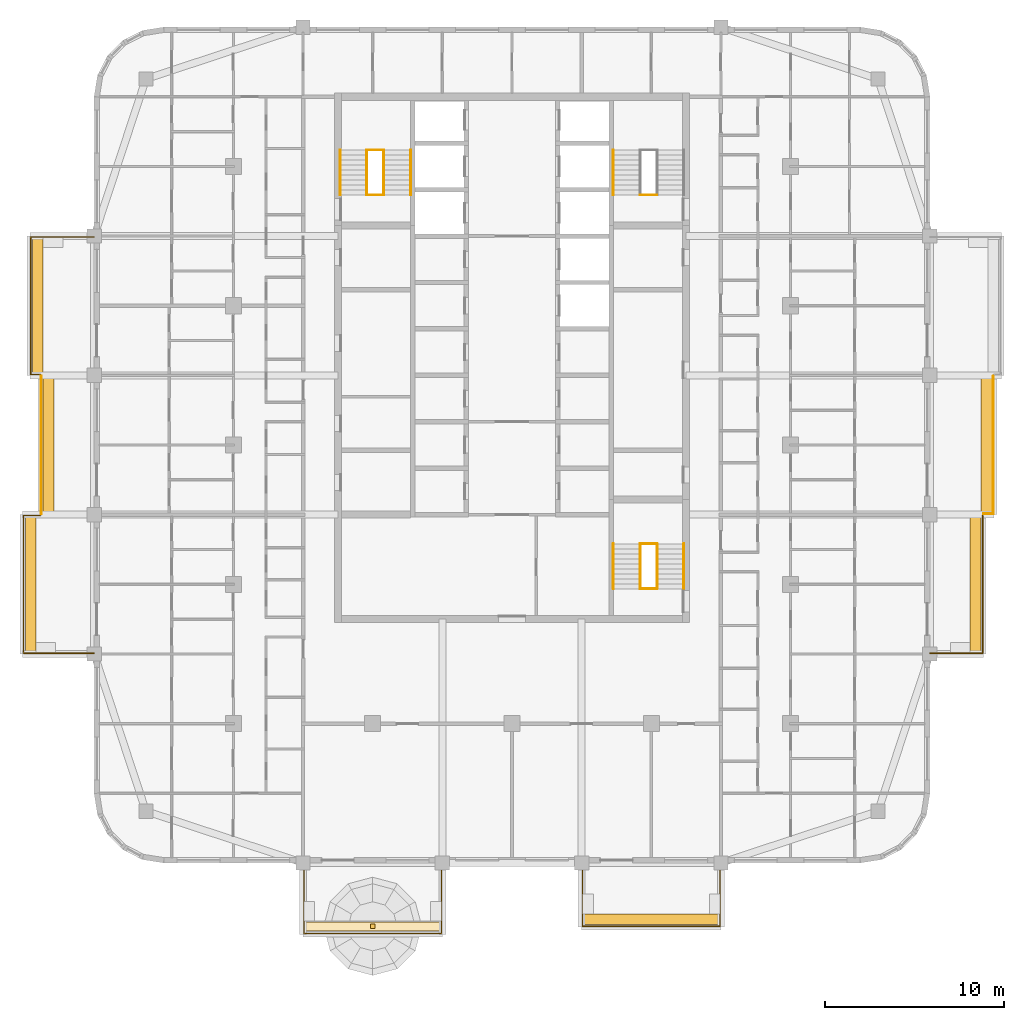
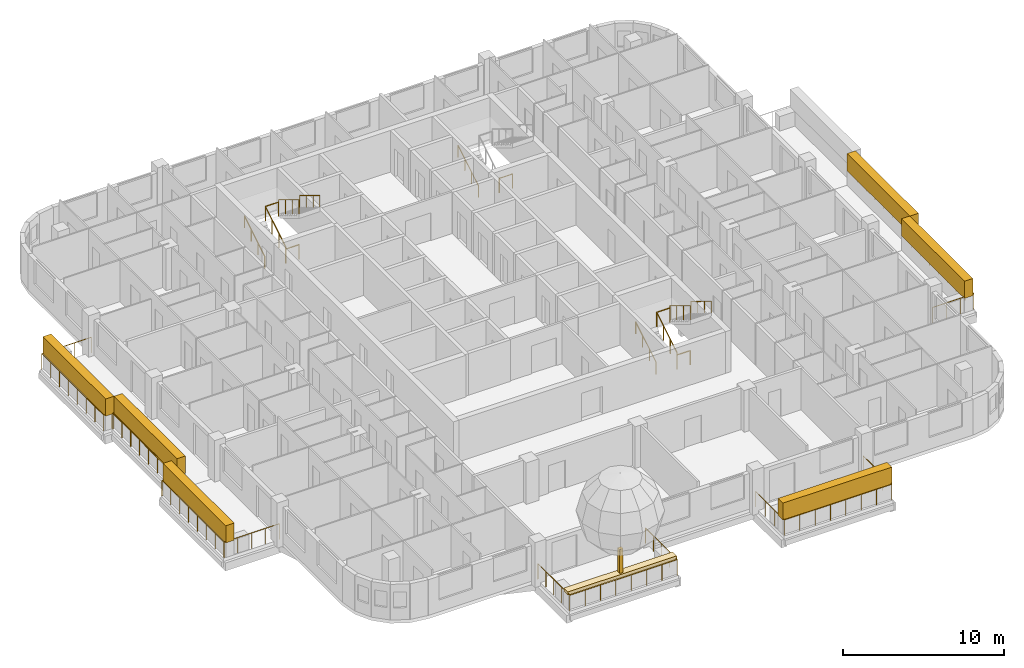
# One storey, part 15 of 17: 21 railings, 8 coverings, 3 elements without a shape of their own.
"""IFC4 building model written with IfcOpenShell, lengths in metres."""

from ifc_helpers import new_model, si_unit, direction, frame, origin, origin_2d, place, context, subcontext, project, spatial, rectangle, circle, extrude, material, layer, layer_set, type_object, element, aggregate, save


model = new_model("IFC4")

# Units and contexts
model_context = context("Model", 3, precision=1e-05, world=origin(), true_north=direction((0.0, 1.0)))
body_context = subcontext(model_context, "Body", "Model", "MODEL_VIEW")
ifc_project = project(units=[si_unit("LENGTHUNIT", "METRE"), si_unit("AREAUNIT", "SQUARE_METRE"), si_unit("VOLUMEUNIT", "CUBIC_METRE"), si_unit("PLANEANGLEUNIT", "RADIAN"), si_unit("MASSUNIT", "GRAM", prefix="KILO")], contexts=[model_context])

# Site, building, storey
site_placement = place(None, origin())
site = spatial("IfcSite", under=ifc_project, at=site_placement, CompositionType="ELEMENT")
building_placement = place(site_placement, origin())
building = spatial("IfcBuilding", under=site, at=building_placement, Name="Ludao Terraces", CompositionType="ELEMENT")
storey_placement = place(building_placement, frame((0.0, 0.0, 231.300048828125)))
storey = spatial("IfcBuildingStorey", under=building, at=storey_placement, Name="L63", CompositionType="ELEMENT", Elevation=231.300048828125)

# Railings
ifc_material_1 = material(Name="Stainless steel 304", Category="steel")
railing_type_1 = type_object("IfcRailingType", Name="ENV Balcony glass guard 1200", PredefinedType="GUARDRAIL", material=ifc_material_1)
railing_1_placement = place(storey_placement, frame((73.35009765625, 41.60009765625, 0.0)))
element("IfcRailing", 1, at=railing_1_placement, inside=storey, type_object=railing_type_1, Name="Balcony guard L63 S1", PredefinedType="GUARDRAIL", context=body_context, shape_type="SweptSolid", body=[
    extrude(circle(Radius=0.02392578125, at=origin_2d()), frame((0.0, 0.0, 1.17578125), z_axis=(0.0, -1.0, 0.0), x_axis=(1.0, 0.0, 0.0)), (0.0, 0.0, 1.0), 3.9501953125),
    extrude(circle(Radius=0.02392578125, at=origin_2d()), frame((0.0, -3.9501953125, 1.17578125), z_axis=(1.0, 0.0, 0.0), x_axis=(0.0, 1.0, 0.0)), (0.0, 0.0, 1.0), 7.699951171875),
    extrude(circle(Radius=0.02392578125, at=origin_2d()), frame((7.699951171875, -3.9501953125, 1.17578125), z_axis=(0.0, 1.0, 0.0), x_axis=(-1.0, 0.0, 0.0)), (0.0, 0.0, 1.0), 3.9501953125),
    extrude(circle(Radius=0.02099609375, at=origin_2d()), origin(), (0.0, 0.0, 1.0), 1.15185546875),
    extrude(circle(Radius=0.02099609375, at=origin_2d()), frame((0.0, -0.987548828125, 0.0)), (0.0, 0.0, 1.0), 1.15185546875),
    extrude(circle(Radius=0.02099609375, at=origin_2d()), frame((0.0, -1.97509765625, 0.0)), (0.0, 0.0, 1.0), 1.15185546875),
    extrude(circle(Radius=0.02099609375, at=origin_2d()), frame((0.0, -2.962646484375, 0.0)), (0.0, 0.0, 1.0), 1.15185546875),
    extrude(circle(Radius=0.02099609375, at=origin_2d()), frame((0.0, -3.9501953125, 0.0)), (0.0, 0.0, 1.0), 1.15185546875),
    extrude(circle(Radius=0.02099609375, at=origin_2d()), frame((1.10009765625, -3.9501953125, 0.0)), (0.0, 0.0, 1.0), 1.15185546875),
    extrude(circle(Radius=0.02099609375, at=origin_2d()), frame((2.199951171875, -3.9501953125, 0.0)), (0.0, 0.0, 1.0), 1.15185546875),
    extrude(circle(Radius=0.02099609375, at=origin_2d()), frame((3.300048828125, -3.9501953125, 0.0)), (0.0, 0.0, 1.0), 1.15185546875),
    extrude(circle(Radius=0.02099609375, at=origin_2d()), frame((4.39990234375, -3.9501953125, 0.0)), (0.0, 0.0, 1.0), 1.15185546875),
    extrude(circle(Radius=0.02099609375, at=origin_2d()), frame((5.5, -3.9501953125, 0.0)), (0.0, 0.0, 1.0), 1.15185546875),
    extrude(circle(Radius=0.02099609375, at=origin_2d()), frame((6.599853515625, -3.9501953125, 0.0)), (0.0, 0.0, 1.0), 1.15185546875),
    extrude(circle(Radius=0.02099609375, at=origin_2d()), frame((7.699951171875, -3.9501953125, 0.0)), (0.0, 0.0, 1.0), 1.15185546875),
    extrude(circle(Radius=0.02099609375, at=origin_2d()), frame((7.699951171875, -2.962646484375, 0.0)), (0.0, 0.0, 1.0), 1.15185546875),
    extrude(circle(Radius=0.02099609375, at=origin_2d()), frame((7.699951171875, -1.97509765625, 0.0)), (0.0, 0.0, 1.0), 1.15185546875),
    extrude(circle(Radius=0.02099609375, at=origin_2d()), frame((7.699951171875, -0.987548828125, 0.0)), (0.0, 0.0, 1.0), 1.15185546875),
    extrude(circle(Radius=0.02099609375, at=origin_2d()), frame((7.699951171875, 0.0, 0.0)), (0.0, 0.0, 1.0), 1.15185546875),
])
railing_2_placement = place(storey_placement, frame((88.949951171875, 41.60009765625, 0.0)))
element("IfcRailing", 2, at=railing_2_placement, inside=storey, type_object=railing_type_1, Name="Balcony guard L63 S3", PredefinedType="GUARDRAIL", context=body_context, shape_type="SweptSolid", body=[
    extrude(circle(Radius=0.02392578125, at=origin_2d()), frame((0.0, 0.0, 1.17578125), z_axis=(0.0, -1.0, 0.0), x_axis=(1.0, 0.0, 0.0)), (0.0, 0.0, 1.0), 3.550048828125),
    extrude(circle(Radius=0.02392578125, at=origin_2d()), frame((0.0, -3.550048828125, 1.17578125), z_axis=(1.0, 0.0, 0.0), x_axis=(0.0, 1.0, 0.0)), (0.0, 0.0, 1.0), 7.699951171875),
    extrude(circle(Radius=0.02392578125, at=origin_2d()), frame((7.699951171875, -3.550048828125, 1.17578125), z_axis=(0.0, 1.0, 0.0), x_axis=(-1.0, 0.0, 0.0)), (0.0, 0.0, 1.0), 3.550048828125),
    extrude(circle(Radius=0.02099609375, at=origin_2d()), origin(), (0.0, 0.0, 1.0), 1.15185546875),
    extrude(circle(Radius=0.02099609375, at=origin_2d()), frame((0.0, -1.183349609375, 0.0)), (0.0, 0.0, 1.0), 1.15185546875),
    extrude(circle(Radius=0.02099609375, at=origin_2d()), frame((0.0, -2.36669921875, 0.0)), (0.0, 0.0, 1.0), 1.15185546875),
    extrude(circle(Radius=0.02099609375, at=origin_2d()), frame((0.0, -3.550048828125, 0.0)), (0.0, 0.0, 1.0), 1.15185546875),
    extrude(circle(Radius=0.02099609375, at=origin_2d()), frame((1.10009765625, -3.550048828125, 0.0)), (0.0, 0.0, 1.0), 1.15185546875),
    extrude(circle(Radius=0.02099609375, at=origin_2d()), frame((2.199951171875, -3.550048828125, 0.0)), (0.0, 0.0, 1.0), 1.15185546875),
    extrude(circle(Radius=0.02099609375, at=origin_2d()), frame((3.300048828125, -3.550048828125, 0.0)), (0.0, 0.0, 1.0), 1.15185546875),
    extrude(circle(Radius=0.02099609375, at=origin_2d()), frame((4.39990234375, -3.550048828125, 0.0)), (0.0, 0.0, 1.0), 1.15185546875),
    extrude(circle(Radius=0.02099609375, at=origin_2d()), frame((5.5, -3.550048828125, 0.0)), (0.0, 0.0, 1.0), 1.15185546875),
    extrude(circle(Radius=0.02099609375, at=origin_2d()), frame((6.599853515625, -3.550048828125, 0.0)), (0.0, 0.0, 1.0), 1.15185546875),
    extrude(circle(Radius=0.02099609375, at=origin_2d()), frame((7.699951171875, -3.550048828125, 0.0)), (0.0, 0.0, 1.0), 1.15185546875),
    extrude(circle(Radius=0.02099609375, at=origin_2d()), frame((7.699951171875, -2.36669921875, 0.0)), (0.0, 0.0, 1.0), 1.15185546875),
    extrude(circle(Radius=0.02099609375, at=origin_2d()), frame((7.699951171875, -1.183349609375, 0.0)), (0.0, 0.0, 1.0), 1.15185546875),
    extrude(circle(Radius=0.02099609375, at=origin_2d()), frame((7.699951171875, 0.0, 0.0)), (0.0, 0.0, 1.0), 1.15185546875),
])
railing_3_placement = place(storey_placement, frame((108.39990234375, 53.35009765625, 0.0)))
element("IfcRailing", 3, at=railing_3_placement, inside=storey, type_object=railing_type_1, Name="Balcony guard L63 E1", PredefinedType="GUARDRAIL", context=body_context, shape_type="SweptSolid", body=[
    extrude(circle(Radius=0.02392578125, at=origin_2d()), frame((0.0, 0.0, 1.17578125), z_axis=(1.0, 0.0, 0.0), x_axis=(0.0, 1.0, 0.0)), (0.0, 0.0, 1.0), 2.9501953125),
    extrude(circle(Radius=0.02392578125, at=origin_2d()), frame((2.9501953125, 0.0, 1.17578125), z_axis=(0.0, 1.0, 0.0), x_axis=(-1.0, 0.0, 0.0)), (0.0, 0.0, 1.0), 7.699951171875),
    extrude(circle(Radius=0.02099609375, at=origin_2d()), origin(), (0.0, 0.0, 1.0), 1.15185546875),
    extrude(circle(Radius=0.02099609375, at=origin_2d()), frame((0.9833984375, 0.0, 0.0)), (0.0, 0.0, 1.0), 1.15185546875),
    extrude(circle(Radius=0.02099609375, at=origin_2d()), frame((1.966796875, 0.0, 0.0)), (0.0, 0.0, 1.0), 1.15185546875),
    extrude(circle(Radius=0.02099609375, at=origin_2d()), frame((2.9501953125, 0.0, 0.0)), (0.0, 0.0, 1.0), 1.15185546875),
    extrude(circle(Radius=0.02099609375, at=origin_2d()), frame((2.9501953125, 1.10009765625, 0.0)), (0.0, 0.0, 1.0), 1.15185546875),
    extrude(circle(Radius=0.02099609375, at=origin_2d()), frame((2.9501953125, 2.199951171875, 0.0)), (0.0, 0.0, 1.0), 1.15185546875),
    extrude(circle(Radius=0.02099609375, at=origin_2d()), frame((2.9501953125, 3.300048828125, 0.0)), (0.0, 0.0, 1.0), 1.15185546875),
    extrude(circle(Radius=0.02099609375, at=origin_2d()), frame((2.9501953125, 4.39990234375, 0.0)), (0.0, 0.0, 1.0), 1.15185546875),
    extrude(circle(Radius=0.02099609375, at=origin_2d()), frame((2.9501953125, 5.5, 0.0)), (0.0, 0.0, 1.0), 1.15185546875),
    extrude(circle(Radius=0.02099609375, at=origin_2d()), frame((2.9501953125, 6.599853515625, 0.0)), (0.0, 0.0, 1.0), 1.15185546875),
    extrude(circle(Radius=0.02099609375, at=origin_2d()), frame((2.9501953125, 7.699951171875, 0.0)), (0.0, 0.0, 1.0), 1.15185546875),
])
railing_4_placement = place(storey_placement, frame((111.39990234375, 61.14990234375, 0.0)))
element("IfcRailing", 4, at=railing_4_placement, inside=storey, type_object=railing_type_1, Name="Balcony guard L63 E2", PredefinedType="GUARDRAIL", context=body_context, shape_type="SweptSolid", body=[
    extrude(circle(Radius=0.02392578125, at=origin_2d()), frame((0.0, 0.0, 1.17578125), z_axis=(1.0, 0.0, 0.0), x_axis=(0.0, 1.0, 0.0)), (0.0, 0.0, 1.0), 0.550048828125),
    extrude(circle(Radius=0.02392578125, at=origin_2d()), frame((0.550048828125, 0.0, 1.17578125), z_axis=(0.0, 1.0, 0.0), x_axis=(-1.0, 0.0, 0.0)), (0.0, 0.0, 1.0), 7.7001953125),
    extrude(circle(Radius=0.02099609375, at=origin_2d()), origin(), (0.0, 0.0, 1.0), 1.15185546875),
    extrude(circle(Radius=0.02099609375, at=origin_2d()), frame((0.550048828125, 0.0, 0.0)), (0.0, 0.0, 1.0), 1.15185546875),
    extrude(circle(Radius=0.02099609375, at=origin_2d()), frame((0.550048828125, 1.10009765625, 0.0)), (0.0, 0.0, 1.0), 1.15185546875),
    extrude(circle(Radius=0.02099609375, at=origin_2d()), frame((0.550048828125, 2.199951171875, 0.0)), (0.0, 0.0, 1.0), 1.15185546875),
    extrude(circle(Radius=0.02099609375, at=origin_2d()), frame((0.550048828125, 3.300048828125, 0.0)), (0.0, 0.0, 1.0), 1.15185546875),
    extrude(circle(Radius=0.02099609375, at=origin_2d()), frame((0.550048828125, 4.400146484375, 0.0)), (0.0, 0.0, 1.0), 1.15185546875),
    extrude(circle(Radius=0.02099609375, at=origin_2d()), frame((0.550048828125, 5.500244140625, 0.0)), (0.0, 0.0, 1.0), 1.15185546875),
    extrude(circle(Radius=0.02099609375, at=origin_2d()), frame((0.550048828125, 6.60009765625, 0.0)), (0.0, 0.0, 1.0), 1.15185546875),
    extrude(circle(Radius=0.02099609375, at=origin_2d()), frame((0.550048828125, 7.7001953125, 0.0)), (0.0, 0.0, 1.0), 1.15185546875),
])
railing_5_placement = place(storey_placement, frame((61.60009765625, 53.35009765625, 0.0)))
element("IfcRailing", 5, at=railing_5_placement, inside=storey, type_object=railing_type_1, Name="Balcony guard L63 W1", PredefinedType="GUARDRAIL", context=body_context, shape_type="SweptSolid", body=[
    extrude(circle(Radius=0.02392578125, at=origin_2d()), frame((0.0, 0.0, 1.17578125), z_axis=(-1.0, 0.0, 0.0), x_axis=(0.0, -1.0, 0.0)), (0.0, 0.0, 1.0), 3.9501953125),
    extrude(circle(Radius=0.02392578125, at=origin_2d()), frame((-3.9501953125, 0.0, 1.17578125), z_axis=(0.0, 1.0, 0.0), x_axis=(-1.0, 0.0, 0.0)), (0.0, 0.0, 1.0), 7.699951171875),
    extrude(circle(Radius=0.02392578125, at=origin_2d()), frame((-3.9501953125, 7.699951171875, 1.17578125), z_axis=(1.0, 0.0, 0.0), x_axis=(0.0, 1.0, 0.0)), (0.0, 0.0, 1.0), 0.9501953125),
    extrude(circle(Radius=0.02099609375, at=origin_2d()), origin(), (0.0, 0.0, 1.0), 1.15185546875),
    extrude(circle(Radius=0.02099609375, at=origin_2d()), frame((-0.987548828125, 0.0, 0.0)), (0.0, 0.0, 1.0), 1.15185546875),
    extrude(circle(Radius=0.02099609375, at=origin_2d()), frame((-1.97509765625, 0.0, 0.0)), (0.0, 0.0, 1.0), 1.15185546875),
    extrude(circle(Radius=0.02099609375, at=origin_2d()), frame((-2.962646484375, 0.0, 0.0)), (0.0, 0.0, 1.0), 1.15185546875),
    extrude(circle(Radius=0.02099609375, at=origin_2d()), frame((-3.9501953125, 0.0, 0.0)), (0.0, 0.0, 1.0), 1.15185546875),
    extrude(circle(Radius=0.02099609375, at=origin_2d()), frame((-3.9501953125, 1.10009765625, 0.0)), (0.0, 0.0, 1.0), 1.15185546875),
    extrude(circle(Radius=0.02099609375, at=origin_2d()), frame((-3.9501953125, 2.199951171875, 0.0)), (0.0, 0.0, 1.0), 1.15185546875),
    extrude(circle(Radius=0.02099609375, at=origin_2d()), frame((-3.9501953125, 3.300048828125, 0.0)), (0.0, 0.0, 1.0), 1.15185546875),
    extrude(circle(Radius=0.02099609375, at=origin_2d()), frame((-3.9501953125, 4.39990234375, 0.0)), (0.0, 0.0, 1.0), 1.15185546875),
    extrude(circle(Radius=0.02099609375, at=origin_2d()), frame((-3.9501953125, 5.5, 0.0)), (0.0, 0.0, 1.0), 1.15185546875),
    extrude(circle(Radius=0.02099609375, at=origin_2d()), frame((-3.9501953125, 6.599853515625, 0.0)), (0.0, 0.0, 1.0), 1.15185546875),
    extrude(circle(Radius=0.02099609375, at=origin_2d()), frame((-3.9501953125, 7.699951171875, 0.0)), (0.0, 0.0, 1.0), 1.15185546875),
    extrude(circle(Radius=0.02099609375, at=origin_2d()), frame((-3.0, 7.699951171875, 0.0)), (0.0, 0.0, 1.0), 1.15185546875),
])
railing_6_placement = place(storey_placement, frame((58.64990234375, 61.14990234375, 0.0)))
element("IfcRailing", 6, at=railing_6_placement, inside=storey, type_object=railing_type_1, Name="Balcony guard L63 W2", PredefinedType="GUARDRAIL", context=body_context, shape_type="SweptSolid", body=[
    extrude(circle(Radius=0.02392578125, at=origin_2d()), frame((0.0, 0.0, 1.17578125), z_axis=(0.0, 1.0, 0.0), x_axis=(-1.0, 0.0, 0.0)), (0.0, 0.0, 1.0), 7.7001953125),
    extrude(circle(Radius=0.02099609375, at=origin_2d()), origin(), (0.0, 0.0, 1.0), 1.15185546875),
    extrude(circle(Radius=0.02099609375, at=origin_2d()), frame((0.0, 1.10009765625, 0.0)), (0.0, 0.0, 1.0), 1.15185546875),
    extrude(circle(Radius=0.02099609375, at=origin_2d()), frame((0.0, 2.199951171875, 0.0)), (0.0, 0.0, 1.0), 1.15185546875),
    extrude(circle(Radius=0.02099609375, at=origin_2d()), frame((0.0, 3.300048828125, 0.0)), (0.0, 0.0, 1.0), 1.15185546875),
    extrude(circle(Radius=0.02099609375, at=origin_2d()), frame((0.0, 4.400146484375, 0.0)), (0.0, 0.0, 1.0), 1.15185546875),
    extrude(circle(Radius=0.02099609375, at=origin_2d()), frame((0.0, 5.500244140625, 0.0)), (0.0, 0.0, 1.0), 1.15185546875),
    extrude(circle(Radius=0.02099609375, at=origin_2d()), frame((0.0, 6.60009765625, 0.0)), (0.0, 0.0, 1.0), 1.15185546875),
    extrude(circle(Radius=0.02099609375, at=origin_2d()), frame((0.0, 7.7001953125, 0.0)), (0.0, 0.0, 1.0), 1.15185546875),
])
railing_7_placement = place(storey_placement, frame((58.60009765625, 68.949951171875, 0.0)))
element("IfcRailing", 7, at=railing_7_placement, inside=storey, type_object=railing_type_1, Name="Balcony guard L63 W3", PredefinedType="GUARDRAIL", context=body_context, shape_type="SweptSolid", body=[
    extrude(circle(Radius=0.02392578125, at=origin_2d()), frame((0.0, 0.0, 1.17578125), z_axis=(-1.0, 0.0, 0.0), x_axis=(0.0, -1.0, 0.0)), (0.0, 0.0, 1.0), 0.550048828125),
    extrude(circle(Radius=0.02392578125, at=origin_2d()), frame((-0.550048828125, 0.0, 1.17578125), z_axis=(0.0, 1.0, 0.0), x_axis=(-1.0, 0.0, 0.0)), (0.0, 0.0, 1.0), 7.699951171875),
    extrude(circle(Radius=0.02392578125, at=origin_2d()), frame((-0.550048828125, 7.699951171875, 1.17578125), z_axis=(1.0, 0.0, 0.0), x_axis=(0.0, 1.0, 0.0)), (0.0, 0.0, 1.0), 3.550048828125),
    extrude(circle(Radius=0.02099609375, at=origin_2d()), origin(), (0.0, 0.0, 1.0), 1.15185546875),
    extrude(circle(Radius=0.02099609375, at=origin_2d()), frame((-0.550048828125, 0.0, 0.0)), (0.0, 0.0, 1.0), 1.15185546875),
    extrude(circle(Radius=0.02099609375, at=origin_2d()), frame((-0.550048828125, 1.10009765625, 0.0)), (0.0, 0.0, 1.0), 1.15185546875),
    extrude(circle(Radius=0.02099609375, at=origin_2d()), frame((-0.550048828125, 2.199951171875, 0.0)), (0.0, 0.0, 1.0), 1.15185546875),
    extrude(circle(Radius=0.02099609375, at=origin_2d()), frame((-0.550048828125, 3.300048828125, 0.0)), (0.0, 0.0, 1.0), 1.15185546875),
    extrude(circle(Radius=0.02099609375, at=origin_2d()), frame((-0.550048828125, 4.39990234375, 0.0)), (0.0, 0.0, 1.0), 1.15185546875),
    extrude(circle(Radius=0.02099609375, at=origin_2d()), frame((-0.550048828125, 5.5, 0.0)), (0.0, 0.0, 1.0), 1.15185546875),
    extrude(circle(Radius=0.02099609375, at=origin_2d()), frame((-0.550048828125, 6.599853515625, 0.0)), (0.0, 0.0, 1.0), 1.15185546875),
    extrude(circle(Radius=0.02099609375, at=origin_2d()), frame((-0.550048828125, 7.699951171875, 0.0)), (0.0, 0.0, 1.0), 1.15185546875),
    extrude(circle(Radius=0.02099609375, at=origin_2d()), frame((0.63330078125, 7.699951171875, 0.0)), (0.0, 0.0, 1.0), 1.15185546875),
    extrude(circle(Radius=0.02099609375, at=origin_2d()), frame((1.816650390625, 7.699951171875, 0.0)), (0.0, 0.0, 1.0), 1.15185546875),
    extrude(circle(Radius=0.02099609375, at=origin_2d()), frame((3.0, 7.699951171875, 0.0)), (0.0, 0.0, 1.0), 1.15185546875),
])

# Coverings
ifc_material_2 = material(Name="Planting")
ifc_layer_1 = layer(ifc_material_2, 0.5)
ifc_layer_set_1 = layer_set([ifc_layer_1], Name="ENV Planting bed 250")
covering_type_1 = type_object("IfcCoveringType", Name="ENV Planting bed 250", PredefinedType="USERDEFINED", material=ifc_layer_set_1)
covering_1_placement = place(storey_placement, frame((77.199951171875, 38.050048828125, 1.099853515625), z_axis=(0.0, 0.0, 1.0), x_axis=(1.0, 0.0, 0.0)))
element("IfcCovering", 8, at=covering_1_placement, inside=storey, type_object=covering_type_1, Name="Planting bed L63-S1", ObjectType="PLANTING", PredefinedType="USERDEFINED", context=body_context, shape_type="SweptSolid", body=[
    extrude(rectangle(XDim=7.800048828125, YDim=0.5, at=origin_2d()), origin(), (0.0, 0.0, 1.0), 0.25),
])
ifc_layer_2 = layer(ifc_material_2, 0.60009765625)
ifc_layer_set_2 = layer_set([ifc_layer_2], Name="ENV Planting hedge 600x1300")
covering_type_2 = type_object("IfcCoveringType", Name="ENV Planting hedge 600x1300", PredefinedType="USERDEFINED", material=ifc_layer_set_2)
covering_2_placement = place(storey_placement, frame((92.800048828125, 38.449951171875, 1.10009765625), z_axis=(0.0, 0.0, 1.0), x_axis=(1.0, 0.0, 0.0)))
element("IfcCovering", 9, at=covering_2_placement, inside=storey, type_object=covering_type_2, Name="Planting hedge L63-S3", ObjectType="PLANTING", PredefinedType="USERDEFINED", context=body_context, shape_type="SweptSolid", body=[
    extrude(rectangle(XDim=7.800048828125, YDim=0.60009765625, at=origin_2d()), origin(), (0.0, 0.0, 1.0), 1.300048828125),
])
for number, where, z_axis, x_axis, name in (
    (10, (110.949951171875, 57.199951171875, 1.10009765625), (0.0, 0.0, 1.0), (1.0, 0.0, 0.0), "Planting hedge L63-E1"),
    (11, (111.550048828125, 65.0, 1.10009765625), (0.0, 0.0, 1.0), (1.0, 0.0, 0.0), "Planting hedge L63-E2"),
    (12, (58.050048828125, 57.199951171875, 1.10009765625), (0.0, 0.0, 1.0), (1.0, 0.0, 0.0), "Planting hedge L63-W1"),
    (13, (59.050048828125, 65.0, 1.10009765625), (0.0, 0.0, 1.0), (1.0, 0.0, 0.0), "Planting hedge L63-W2"),
    (14, (58.449951171875, 72.800048828125, 1.10009765625), (0.0, 0.0, 1.0), (1.0, 0.0, 0.0), "Planting hedge L63-W3"),
):
    element("IfcCovering", number, at=place(storey_placement, frame(where, z_axis=z_axis, x_axis=x_axis)), inside=storey, type_object=covering_type_2, Name=name, ObjectType="PLANTING", PredefinedType="USERDEFINED", context=body_context, shape_type="SweptSolid", body=[
        extrude(rectangle(XDim=0.60009765625, YDim=7.800048828125, at=origin_2d()), origin(), (0.0, 0.0, 1.0), 1.300048828125),
    ])
ifc_material_3 = material(Name="Timber tree trunk", Category="wood")
ifc_layer_3 = layer(ifc_material_3, 0.25)
ifc_layer_set_3 = layer_set([ifc_layer_3], Name="ENV Tree trunk 250x1800")
covering_type_3 = type_object("IfcCoveringType", Name="ENV Tree trunk 250x1800", PredefinedType="USERDEFINED", material=ifc_layer_set_3)
covering_3_placement = place(storey_placement, frame((77.199951171875, 38.050048828125, 1.35009765625), z_axis=(0.0, 0.0, 1.0), x_axis=(1.0, 0.0, 0.0)))
element("IfcCovering", 15, at=covering_3_placement, inside=storey, type_object=covering_type_3, Name="Tree trunk L63 S1", ObjectType="PLANTING", PredefinedType="USERDEFINED", context=body_context, shape_type="SweptSolid", body=[
    extrude(rectangle(XDim=0.25, YDim=0.25, at=origin_2d()), origin(), (0.0, 0.0, 1.0), 1.800048828125),
])

# Stair, railings
ifc_material_4 = material(Name="Concrete C40", Category="concrete")
stair_type = type_object("IfcStairType", Name="INT Stair", PredefinedType="HALF_TURN_STAIR", material=ifc_material_4)
stair_1_placement = place(storey_placement, origin())
stair_1 = element("IfcStair", 16, at=stair_1_placement, inside=storey, type_object=stair_type, Name="EXIT STAIR 1", PredefinedType="HALF_TURN_STAIR")
railing_type_2 = type_object("IfcRailingType", Name="INT Stair guard 1100", PredefinedType="GUARDRAIL", material=ifc_material_1)
railing_8_placement = place(storey_placement, frame((76.875, 79.0, 0.169921875)))
railing_8 = element("IfcRailing", 17, at=railing_8_placement, type_object=railing_type_2, Name="ST-L63-S1-R1G", PredefinedType="GUARDRAIL", context=body_context, shape_type="SweptSolid", body=[
    extrude(circle(Radius=0.02392578125, at=origin_2d()), frame((0.0, 0.0, 1.076171875), z_axis=(0.0, 0.85478489116, 0.518982456201), x_axis=(-1.0, 0.0, 0.0)), (0.0, 0.0, 1.0), 2.9482421875),
    extrude(circle(Radius=0.02099609375, at=origin_2d()), origin(), (0.0, 0.0, 1.0), 1.052001953125),
    extrude(circle(Radius=0.02099609375, at=origin_2d()), frame((0.0, 0.840087890625, 0.510009765625)), (0.0, 0.0, 1.0), 1.052001953125),
    extrude(circle(Radius=0.02099609375, at=origin_2d()), frame((0.0, 1.679931640625, 1.02001953125)), (0.0, 0.0, 1.0), 1.052001953125),
    extrude(circle(Radius=0.02099609375, at=origin_2d()), frame((0.0, 2.52001953125, 1.530029296875)), (0.0, 0.0, 1.0), 1.052001953125),
])
railing_9_placement = place(storey_placement, frame((77.824951171875, 81.52001953125, 1.869873046875)))
railing_9 = element("IfcRailing", 18, at=railing_9_placement, type_object=railing_type_2, Name="ST-L63-S1-R2G", PredefinedType="GUARDRAIL", context=body_context, shape_type="SweptSolid", body=[
    extrude(circle(Radius=0.02392578125, at=origin_2d()), frame((0.0, 0.0, 1.076171875), z_axis=(0.0, -0.85478489116, 0.518982456201), x_axis=(1.0, 0.0, 0.0)), (0.0, 0.0, 1.0), 2.9482421875),
    extrude(circle(Radius=0.02099609375, at=origin_2d()), origin(), (0.0, 0.0, 1.0), 1.052001953125),
    extrude(circle(Radius=0.02099609375, at=origin_2d()), frame((0.0, -0.840087890625, 0.510009765625)), (0.0, 0.0, 1.0), 1.052001953125),
    extrude(circle(Radius=0.02099609375, at=origin_2d()), frame((0.0, -1.679931640625, 1.02001953125)), (0.0, 0.0, 1.0), 1.052001953125),
    extrude(circle(Radius=0.02099609375, at=origin_2d()), frame((0.0, -2.52001953125, 1.530029296875)), (0.0, 0.0, 1.0), 1.052001953125),
])
railing_10_placement = place(storey_placement, frame((76.875, 81.52001953125, 1.699951171875)))
railing_10 = element("IfcRailing", 19, at=railing_10_placement, type_object=railing_type_2, Name="ST-L63-S1-E1G", PredefinedType="GUARDRAIL", context=body_context, shape_type="SweptSolid", body=[
    extrude(circle(Radius=0.02392578125, at=origin_2d()), frame((0.0, 0.0, 1.076171875), z_axis=(1.0, 0.0, 0.0), x_axis=(0.0, 1.0, 0.0)), (0.0, 0.0, 1.0), 0.949951171875),
    extrude(circle(Radius=0.02099609375, at=origin_2d()), origin(), (0.0, 0.0, 1.0), 1.052001953125),
    extrude(circle(Radius=0.02099609375, at=origin_2d()), frame((0.949951171875, 0.0, 0.0)), (0.0, 0.0, 1.0), 1.052001953125),
])
railing_11_placement = place(storey_placement, frame((76.875, 79.0, 0.0)))
railing_11 = element("IfcRailing", 20, at=railing_11_placement, type_object=railing_type_2, Name="ST-L63-S1-E2G", PredefinedType="GUARDRAIL", context=body_context, shape_type="SweptSolid", body=[
    extrude(circle(Radius=0.02392578125, at=origin_2d()), frame((0.0, 0.0, 1.076171875), z_axis=(1.0, 0.0, 0.0), x_axis=(0.0, 1.0, 0.0)), (0.0, 0.0, 1.0), 0.949951171875),
    extrude(circle(Radius=0.02099609375, at=origin_2d()), origin(), (0.0, 0.0, 1.0), 1.052001953125),
    extrude(circle(Radius=0.02099609375, at=origin_2d()), frame((0.949951171875, 0.0, 0.0)), (0.0, 0.0, 1.0), 1.052001953125),
])

# Stair, railing
stair_2_placement = place(storey_placement, origin())
stair_2 = element("IfcStair", 21, at=stair_2_placement, inside=storey, type_object=stair_type, Name="EXIT STAIR 2", PredefinedType="HALF_TURN_STAIR")
railing_12_placement = place(storey_placement, frame((92.175048828125, 79.0, 0.0)))
railing_12 = element("IfcRailing", 22, at=railing_12_placement, type_object=railing_type_2, Name="ST-L63-S2-E2G", PredefinedType="GUARDRAIL", context=body_context, shape_type="SweptSolid", body=[
    extrude(circle(Radius=0.02392578125, at=origin_2d()), frame((0.0, 0.0, 1.076171875), z_axis=(1.0, 0.0, 0.0), x_axis=(0.0, 1.0, 0.0)), (0.0, 0.0, 1.0), 0.949951171875),
    extrude(circle(Radius=0.02099609375, at=origin_2d()), origin(), (0.0, 0.0, 1.0), 1.052001953125),
    extrude(circle(Radius=0.02099609375, at=origin_2d()), frame((0.949951171875, 0.0, 0.0)), (0.0, 0.0, 1.0), 1.052001953125),
])

# Stair, railings
stair_3_placement = place(storey_placement, origin())
stair_3 = element("IfcStair", 23, at=stair_3_placement, inside=storey, type_object=stair_type, Name="EXIT STAIR 3", PredefinedType="HALF_TURN_STAIR")
railing_13_placement = place(storey_placement, frame((92.175048828125, 56.949951171875, 0.169921875)))
railing_13 = element("IfcRailing", 24, at=railing_13_placement, type_object=railing_type_2, Name="ST-L63-S3-R1G", PredefinedType="GUARDRAIL", context=body_context, shape_type="SweptSolid", body=[
    extrude(circle(Radius=0.02392578125, at=origin_2d()), frame((0.0, 0.0, 1.076171875), z_axis=(0.0, 0.85478489116, 0.518982456201), x_axis=(-1.0, 0.0, 0.0)), (0.0, 0.0, 1.0), 2.9482421875),
    extrude(circle(Radius=0.02099609375, at=origin_2d()), origin(), (0.0, 0.0, 1.0), 1.052001953125),
    extrude(circle(Radius=0.02099609375, at=origin_2d()), frame((0.0, 0.840087890625, 0.510009765625)), (0.0, 0.0, 1.0), 1.052001953125),
    extrude(circle(Radius=0.02099609375, at=origin_2d()), frame((0.0, 1.679931640625, 1.02001953125)), (0.0, 0.0, 1.0), 1.052001953125),
    extrude(circle(Radius=0.02099609375, at=origin_2d()), frame((0.0, 2.52001953125, 1.530029296875)), (0.0, 0.0, 1.0), 1.052001953125),
])
railing_14_placement = place(storey_placement, frame((93.125, 59.469970703125, 1.869873046875)))
railing_14 = element("IfcRailing", 25, at=railing_14_placement, type_object=railing_type_2, Name="ST-L63-S3-R2G", PredefinedType="GUARDRAIL", context=body_context, shape_type="SweptSolid", body=[
    extrude(circle(Radius=0.02392578125, at=origin_2d()), frame((0.0, 0.0, 1.076171875), z_axis=(0.0, -0.85478489116, 0.518982456201), x_axis=(1.0, 0.0, 0.0)), (0.0, 0.0, 1.0), 2.9482421875),
    extrude(circle(Radius=0.02099609375, at=origin_2d()), origin(), (0.0, 0.0, 1.0), 1.052001953125),
    extrude(circle(Radius=0.02099609375, at=origin_2d()), frame((0.0, -0.840087890625, 0.510009765625)), (0.0, 0.0, 1.0), 1.052001953125),
    extrude(circle(Radius=0.02099609375, at=origin_2d()), frame((0.0, -1.679931640625, 1.02001953125)), (0.0, 0.0, 1.0), 1.052001953125),
    extrude(circle(Radius=0.02099609375, at=origin_2d()), frame((0.0, -2.52001953125, 1.530029296875)), (0.0, 0.0, 1.0), 1.052001953125),
])
railing_15_placement = place(storey_placement, frame((92.175048828125, 59.469970703125, 1.699951171875)))
railing_15 = element("IfcRailing", 26, at=railing_15_placement, type_object=railing_type_2, Name="ST-L63-S3-E1G", PredefinedType="GUARDRAIL", context=body_context, shape_type="SweptSolid", body=[
    extrude(circle(Radius=0.02392578125, at=origin_2d()), frame((0.0, 0.0, 1.076171875), z_axis=(1.0, 0.0, 0.0), x_axis=(0.0, 1.0, 0.0)), (0.0, 0.0, 1.0), 0.949951171875),
    extrude(circle(Radius=0.02099609375, at=origin_2d()), origin(), (0.0, 0.0, 1.0), 1.052001953125),
    extrude(circle(Radius=0.02099609375, at=origin_2d()), frame((0.949951171875, 0.0, 0.0)), (0.0, 0.0, 1.0), 1.052001953125),
])
railing_16_placement = place(storey_placement, frame((92.175048828125, 56.949951171875, 0.0)))
railing_16 = element("IfcRailing", 27, at=railing_16_placement, type_object=railing_type_2, Name="ST-L63-S3-E2G", PredefinedType="GUARDRAIL", context=body_context, shape_type="SweptSolid", body=[
    extrude(circle(Radius=0.02392578125, at=origin_2d()), frame((0.0, 0.0, 1.076171875), z_axis=(1.0, 0.0, 0.0), x_axis=(0.0, 1.0, 0.0)), (0.0, 0.0, 1.0), 0.949951171875),
    extrude(circle(Radius=0.02099609375, at=origin_2d()), origin(), (0.0, 0.0, 1.0), 1.052001953125),
    extrude(circle(Radius=0.02099609375, at=origin_2d()), frame((0.949951171875, 0.0, 0.0)), (0.0, 0.0, 1.0), 1.052001953125),
])

# Railing
railing_type_3 = type_object("IfcRailingType", Name="INT Stair handrail 900", PredefinedType="HANDRAIL", material=ifc_material_1)
railing_17_placement = place(storey_placement, frame((75.375, 79.0, 0.169921875)))
railing_17 = element("IfcRailing", 28, at=railing_17_placement, type_object=railing_type_3, Name="ST-L63-S1-R1H", PredefinedType="HANDRAIL", context=body_context, shape_type="SweptSolid", body=[
    extrude(circle(Radius=0.02392578125, at=origin_2d()), frame((0.0, 0.0, 0.8759765625), z_axis=(0.0, 0.85478489116, 0.518982456201), x_axis=(-1.0, 0.0, 0.0)), (0.0, 0.0, 1.0), 2.9482421875),
    extrude(circle(Radius=0.02099609375, at=origin_2d()), origin(), (0.0, 0.0, 1.0), 0.851806640625),
    extrude(circle(Radius=0.02099609375, at=origin_2d()), frame((0.0, 0.840087890625, 0.510009765625)), (0.0, 0.0, 1.0), 0.851806640625),
    extrude(circle(Radius=0.02099609375, at=origin_2d()), frame((0.0, 1.679931640625, 1.02001953125)), (0.0, 0.0, 1.0), 0.851806640625),
    extrude(circle(Radius=0.02099609375, at=origin_2d()), frame((0.0, 2.52001953125, 1.530029296875)), (0.0, 0.0, 1.0), 0.851806640625),
])

railing_18_placement = place(storey_placement, frame((79.324951171875, 81.52001953125, 1.869873046875)))
railing_18 = element("IfcRailing", 29, at=railing_18_placement, type_object=railing_type_3, Name="ST-L63-S1-R2H", PredefinedType="HANDRAIL", context=body_context, shape_type="SweptSolid", body=[
    extrude(circle(Radius=0.02392578125, at=origin_2d()), frame((0.0, 0.0, 0.8759765625), z_axis=(0.0, -0.85478489116, 0.518982456201), x_axis=(1.0, 0.0, 0.0)), (0.0, 0.0, 1.0), 2.9482421875),
    extrude(circle(Radius=0.02099609375, at=origin_2d()), origin(), (0.0, 0.0, 1.0), 0.851806640625),
    extrude(circle(Radius=0.02099609375, at=origin_2d()), frame((0.0, -0.840087890625, 0.510009765625)), (0.0, 0.0, 1.0), 0.851806640625),
    extrude(circle(Radius=0.02099609375, at=origin_2d()), frame((0.0, -1.679931640625, 1.02001953125)), (0.0, 0.0, 1.0), 0.851806640625),
    extrude(circle(Radius=0.02099609375, at=origin_2d()), frame((0.0, -2.52001953125, 1.530029296875)), (0.0, 0.0, 1.0), 0.851806640625),
])

aggregate(stair_1, [railing_8, railing_17, railing_9, railing_18, railing_10, railing_11])

railing_19_placement = place(storey_placement, frame((90.675048828125, 79.0, 0.169921875)))
railing_19 = element("IfcRailing", 30, at=railing_19_placement, type_object=railing_type_3, Name="ST-L63-S2-R1H", PredefinedType="HANDRAIL", context=body_context, shape_type="SweptSolid", body=[
    extrude(circle(Radius=0.02392578125, at=origin_2d()), frame((0.0, 0.0, 0.8759765625), z_axis=(0.0, 0.85478489116, 0.518982456201), x_axis=(-1.0, 0.0, 0.0)), (0.0, 0.0, 1.0), 2.9482421875),
    extrude(circle(Radius=0.02099609375, at=origin_2d()), origin(), (0.0, 0.0, 1.0), 0.851806640625),
    extrude(circle(Radius=0.02099609375, at=origin_2d()), frame((0.0, 0.840087890625, 0.510009765625)), (0.0, 0.0, 1.0), 0.851806640625),
    extrude(circle(Radius=0.02099609375, at=origin_2d()), frame((0.0, 1.679931640625, 1.02001953125)), (0.0, 0.0, 1.0), 0.851806640625),
    extrude(circle(Radius=0.02099609375, at=origin_2d()), frame((0.0, 2.52001953125, 1.530029296875)), (0.0, 0.0, 1.0), 0.851806640625),
])

aggregate(stair_2, [railing_19, railing_12])

railing_20_placement = place(storey_placement, frame((90.675048828125, 56.949951171875, 0.169921875)))
railing_20 = element("IfcRailing", 31, at=railing_20_placement, type_object=railing_type_3, Name="ST-L63-S3-R1H", PredefinedType="HANDRAIL", context=body_context, shape_type="SweptSolid", body=[
    extrude(circle(Radius=0.02392578125, at=origin_2d()), frame((0.0, 0.0, 0.8759765625), z_axis=(0.0, 0.85478489116, 0.518982456201), x_axis=(-1.0, 0.0, 0.0)), (0.0, 0.0, 1.0), 2.9482421875),
    extrude(circle(Radius=0.02099609375, at=origin_2d()), origin(), (0.0, 0.0, 1.0), 0.851806640625),
    extrude(circle(Radius=0.02099609375, at=origin_2d()), frame((0.0, 0.840087890625, 0.510009765625)), (0.0, 0.0, 1.0), 0.851806640625),
    extrude(circle(Radius=0.02099609375, at=origin_2d()), frame((0.0, 1.679931640625, 1.02001953125)), (0.0, 0.0, 1.0), 0.851806640625),
    extrude(circle(Radius=0.02099609375, at=origin_2d()), frame((0.0, 2.52001953125, 1.530029296875)), (0.0, 0.0, 1.0), 0.851806640625),
])

railing_21_placement = place(storey_placement, frame((94.625, 59.469970703125, 1.869873046875)))
railing_21 = element("IfcRailing", 32, at=railing_21_placement, type_object=railing_type_3, Name="ST-L63-S3-R2H", PredefinedType="HANDRAIL", context=body_context, shape_type="SweptSolid", body=[
    extrude(circle(Radius=0.02392578125, at=origin_2d()), frame((0.0, 0.0, 0.8759765625), z_axis=(0.0, -0.85478489116, 0.518982456201), x_axis=(1.0, 0.0, 0.0)), (0.0, 0.0, 1.0), 2.9482421875),
    extrude(circle(Radius=0.02099609375, at=origin_2d()), origin(), (0.0, 0.0, 1.0), 0.851806640625),
    extrude(circle(Radius=0.02099609375, at=origin_2d()), frame((0.0, -0.840087890625, 0.510009765625)), (0.0, 0.0, 1.0), 0.851806640625),
    extrude(circle(Radius=0.02099609375, at=origin_2d()), frame((0.0, -1.679931640625, 1.02001953125)), (0.0, 0.0, 1.0), 0.851806640625),
    extrude(circle(Radius=0.02099609375, at=origin_2d()), frame((0.0, -2.52001953125, 1.530029296875)), (0.0, 0.0, 1.0), 0.851806640625),
])

aggregate(stair_3, [railing_13, railing_20, railing_14, railing_21, railing_15, railing_16])

save(model, "model.ifc")
